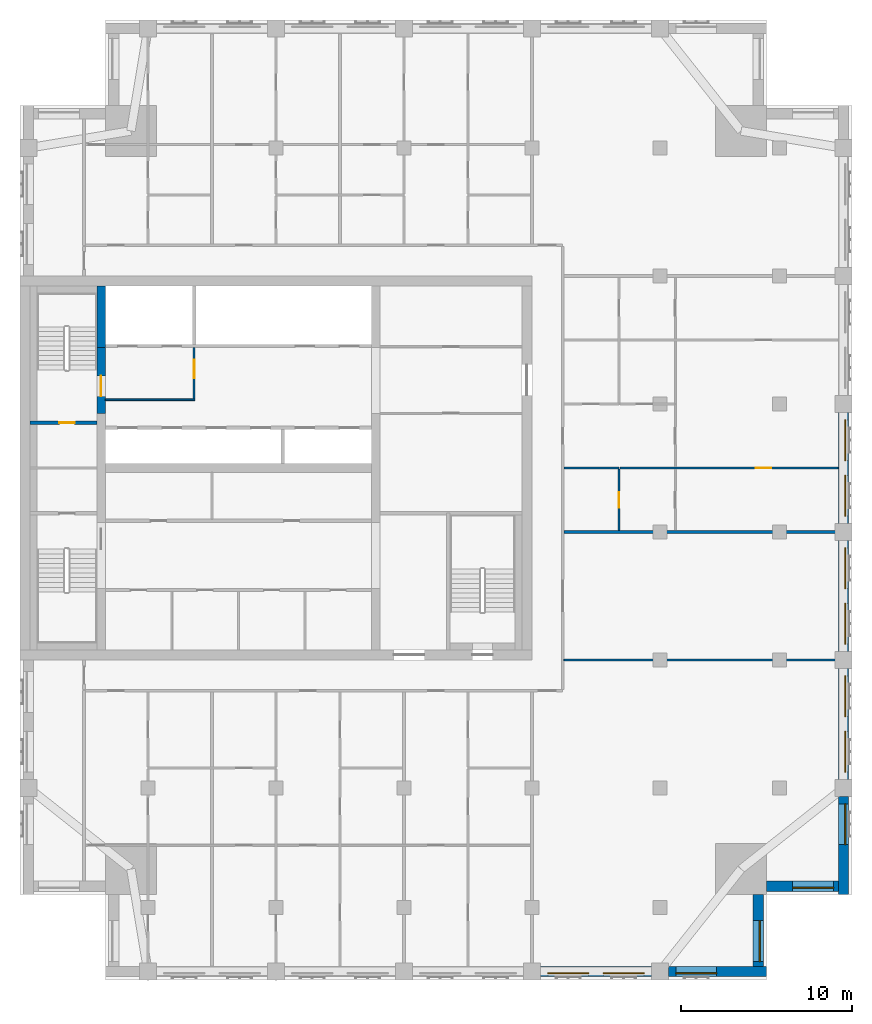
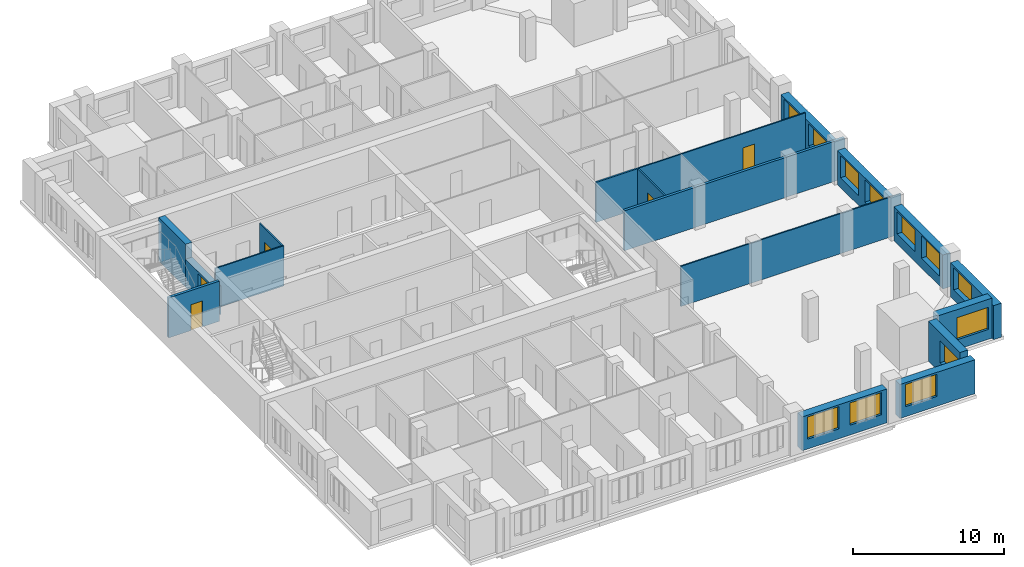
# One storey, part 5 of 11: 18 walls, 12 windows, 5 doors, 17 openings.
"""IFC4 building model written with IfcOpenShell, lengths in metres."""

from ifc_helpers import new_model, si_unit, direction, frame, frame_2d, origin, place, context, subcontext, project, spatial, rectangle, extrude, material, layer, layer_set, type_object, element, fill, save


model = new_model("IFC4")

# Units and contexts
model_context = context("Model", 3, precision=1e-05, world=origin(), true_north=direction((0.0, 1.0)))
body_context = subcontext(model_context, "Body", "Model", "MODEL_VIEW")
ifc_project = project(units=[si_unit("LENGTHUNIT", "METRE"), si_unit("AREAUNIT", "SQUARE_METRE"), si_unit("VOLUMEUNIT", "CUBIC_METRE"), si_unit("PLANEANGLEUNIT", "RADIAN"), si_unit("MASSUNIT", "GRAM", prefix="KILO")], contexts=[model_context])

# Site, building, storey
site_placement = place(None, origin())
site = spatial("IfcSite", under=ifc_project, at=site_placement, CompositionType="ELEMENT")
building_placement = place(site_placement, origin())
building = spatial("IfcBuilding", under=site, at=building_placement, Name="Tamorin Gate", CompositionType="ELEMENT")
storey_placement = place(building_placement, frame((0.0, 0.0, 230.199951171875)))
storey = spatial("IfcBuildingStorey", under=building, at=storey_placement, Name="L57", CompositionType="ELEMENT", Elevation=230.199951171875)

# Wall, openings, windows
ifc_material_1 = material(Name="Precast concrete C40/50", Category="concrete")
ifc_layer_1 = layer(ifc_material_1, 0.60009765625)
ifc_layer_set_1 = layer_set([ifc_layer_1], Name="Precast concrete C40/50")
wall_type_1 = type_object("IfcWallType", Name="Board-marked concrete facade panel 600", PredefinedType="SOLIDWALL", material=ifc_layer_set_1)
wall_1_placement = place(storey_placement, frame((60.5, 41.75, 0.0), z_axis=(0.0, 0.0, 1.0), x_axis=(1.0, 0.0, 0.0)))
wall_1 = element("IfcWall", 1, at=wall_1_placement, inside=storey, type_object=wall_type_1, Name="Facade panel", PredefinedType="SOLIDWALL", context=body_context, shape_type="SweptSolid", body=[
    extrude(rectangle(XDim=6.5, YDim=0.60009765625, at=frame_2d((3.25, 0.0))), origin(), (0.0, 0.0, 1.0), 2.75),
])
opening_1_placement = place(wall_1_placement, frame((0.425048828125, 0.0, 0.800048828125)))
opening_1 = element("IfcOpeningElement", 2, at=opening_1_placement, cuts=wall_1, Name="Opening WN1", PredefinedType="OPENING", context=body_context, shape_type="SweptSolid", body=[
    extrude(rectangle(XDim=2.39990234375, YDim=1.800048828125, at=frame_2d((1.199951171875, 0.89990234375))), frame((0.0, 0.31005859375, 0.0), z_axis=(0.0, -1.0, 0.0), x_axis=(1.0, 0.0, 0.0)), (0.0, 0.0, 1.0), 0.6201171875),
])
opening_2_placement = place(wall_1_placement, frame((3.675048828125, 0.0, 0.800048828125)))
opening_2 = element("IfcOpeningElement", 3, at=opening_2_placement, cuts=wall_1, Name="Opening WN1", PredefinedType="OPENING", context=body_context, shape_type="SweptSolid", body=[
    extrude(rectangle(XDim=2.39990234375, YDim=1.800048828125, at=frame_2d((1.199951171875, 0.89990234375))), frame((0.0, 0.31005859375, 0.0), z_axis=(0.0, -1.0, 0.0), x_axis=(1.0, 0.0, 0.0)), (0.0, 0.0, 1.0), 0.6201171875),
])
ifc_material_2 = material(Name="Clear glass in aluminium frame", Category="aluminium")
window_type = type_object("IfcWindowType", Name="Deep-set window 2400x1800", PartitioningType="SINGLE_PANEL", PredefinedType="WINDOW", material=ifc_material_2)
window_1_placement = place(opening_1_placement, origin())
window_1 = element("IfcWindow", 4, at=window_1_placement, inside=storey, type_object=window_type, Name="Deep-set window", OverallHeight=1.800048828125, OverallWidth=2.39990234375, PartitioningType="SINGLE_PANEL", PredefinedType="WINDOW", context=body_context, shape_type="SweptSolid", body=[
    extrude(rectangle(XDim=2.39990234375, YDim=1.800048828125, at=frame_2d((1.199951171875, 0.89990234375))), frame((0.0, -0.070068359375, 0.0), z_axis=(0.0, -1.0, 0.0), x_axis=(1.0, 0.0, 0.0)), (0.0, 0.0, 1.0), 0.06005859375),
])
fill(opening_1, window_1)
window_2_placement = place(opening_2_placement, origin())
window_2 = element("IfcWindow", 5, at=window_2_placement, inside=storey, type_object=window_type, Name="Deep-set window", OverallHeight=1.800048828125, OverallWidth=2.39990234375, PartitioningType="SINGLE_PANEL", PredefinedType="WINDOW", context=body_context, shape_type="SweptSolid", body=[
    extrude(rectangle(XDim=2.39990234375, YDim=1.800048828125, at=frame_2d((1.199951171875, 0.89990234375))), frame((0.0, -0.070068359375, 0.0), z_axis=(0.0, -1.0, 0.0), x_axis=(1.0, 0.0, 0.0)), (0.0, 0.0, 1.0), 0.06005859375),
])
fill(opening_2, window_2)

# Wall, opening, window
wall_2_placement = place(storey_placement, frame((68.0, 41.75, 0.0), z_axis=(0.0, 0.0, 1.0), x_axis=(1.0, 0.0, 0.0)))
wall_2 = element("IfcWall", 6, at=wall_2_placement, inside=storey, type_object=wall_type_1, Name="Facade panel", PredefinedType="SOLIDWALL", context=body_context, shape_type="SweptSolid", body=[
    extrude(rectangle(XDim=5.75, YDim=0.60009765625, at=frame_2d((2.875, 0.0))), origin(), (0.0, 0.0, 1.0), 2.75),
])
opening_3_placement = place(wall_2_placement, frame((0.425048828125, 0.0, 0.800048828125)))
opening_3 = element("IfcOpeningElement", 7, at=opening_3_placement, cuts=wall_2, Name="Opening WN1", PredefinedType="OPENING", context=body_context, shape_type="SweptSolid", body=[
    extrude(rectangle(XDim=2.39990234375, YDim=1.800048828125, at=frame_2d((1.199951171875, 0.89990234375))), frame((0.0, 0.31005859375, 0.0), z_axis=(0.0, -1.0, 0.0), x_axis=(1.0, 0.0, 0.0)), (0.0, 0.0, 1.0), 0.6201171875),
])
window_3_placement = place(opening_3_placement, origin())
window_3 = element("IfcWindow", 8, at=window_3_placement, inside=storey, type_object=window_type, Name="Deep-set window", OverallHeight=1.800048828125, OverallWidth=2.39990234375, PartitioningType="SINGLE_PANEL", PredefinedType="WINDOW", context=body_context, shape_type="SweptSolid", body=[
    extrude(rectangle(XDim=2.39990234375, YDim=1.800048828125, at=frame_2d((1.199951171875, 0.89990234375))), frame((0.0, -0.070068359375, 0.0), z_axis=(0.0, -1.0, 0.0), x_axis=(1.0, 0.0, 0.0)), (0.0, 0.0, 1.0), 0.06005859375),
])
fill(opening_3, window_3)

wall_3_placement = place(storey_placement, frame((73.25, 42.050048828125, 0.0), z_axis=(0.0, 0.0, 1.0), x_axis=(0.0, 1.0, 0.0)))
wall_3 = element("IfcWall", 9, at=wall_3_placement, inside=storey, type_object=wall_type_1, Name="Facade panel", PredefinedType="SOLIDWALL", context=body_context, shape_type="SweptSolid", body=[
    extrude(rectangle(XDim=4.199951171875, YDim=0.60009765625, at=frame_2d((2.10009765625, 0.0))), origin(), (0.0, 0.0, 1.0), 3.25),
])
opening_4_placement = place(wall_3_placement, frame((0.27490234375, 0.0, 0.800048828125)))
opening_4 = element("IfcOpeningElement", 10, at=opening_4_placement, cuts=wall_3, Name="Opening WN1", PredefinedType="OPENING", context=body_context, shape_type="SweptSolid", body=[
    extrude(rectangle(XDim=2.39990234375, YDim=1.800048828125, at=frame_2d((1.199951171875, 0.89990234375))), frame((0.0, 0.31005859375, 0.0), z_axis=(0.0, -1.0, 0.0), x_axis=(1.0, 0.0, 0.0)), (0.0, 0.0, 1.0), 0.6201171875),
])
window_4_placement = place(opening_4_placement, origin())
window_4 = element("IfcWindow", 11, at=window_4_placement, inside=storey, type_object=window_type, Name="Deep-set window", OverallHeight=1.800048828125, OverallWidth=2.39990234375, PartitioningType="SINGLE_PANEL", PredefinedType="WINDOW", context=body_context, shape_type="SweptSolid", body=[
    extrude(rectangle(XDim=2.39990234375, YDim=1.800048828125, at=frame_2d((1.199951171875, 0.89990234375))), frame((0.0, -0.070068359375, 0.0), z_axis=(0.0, -1.0, 0.0), x_axis=(1.0, 0.0, 0.0)), (0.0, 0.0, 1.0), 0.06005859375),
])
fill(opening_4, window_4)

wall_4_placement = place(storey_placement, frame((73.75, 46.75, 0.0), z_axis=(0.0, 0.0, 1.0), x_axis=(1.0, 0.0, 0.0)))
wall_4 = element("IfcWall", 12, at=wall_4_placement, inside=storey, type_object=wall_type_1, Name="Facade panel", PredefinedType="SOLIDWALL", context=body_context, shape_type="SweptSolid", body=[
    extrude(rectangle(XDim=4.199951171875, YDim=0.60009765625, at=frame_2d((2.10009765625, 0.0))), origin(), (0.0, 0.0, 1.0), 3.25),
])
opening_5_placement = place(wall_4_placement, frame((1.52490234375, 0.0, 0.800048828125)))
opening_5 = element("IfcOpeningElement", 13, at=opening_5_placement, cuts=wall_4, Name="Opening WN1", PredefinedType="OPENING", context=body_context, shape_type="SweptSolid", body=[
    extrude(rectangle(XDim=2.39990234375, YDim=1.800048828125, at=frame_2d((1.199951171875, 0.89990234375))), frame((0.0, 0.31005859375, 0.0), z_axis=(0.0, -1.0, 0.0), x_axis=(1.0, 0.0, 0.0)), (0.0, 0.0, 1.0), 0.6201171875),
])
window_5_placement = place(opening_5_placement, origin())
window_5 = element("IfcWindow", 14, at=window_5_placement, inside=storey, type_object=window_type, Name="Deep-set window", OverallHeight=1.800048828125, OverallWidth=2.39990234375, PartitioningType="SINGLE_PANEL", PredefinedType="WINDOW", context=body_context, shape_type="SweptSolid", body=[
    extrude(rectangle(XDim=2.39990234375, YDim=1.800048828125, at=frame_2d((1.199951171875, 0.89990234375))), frame((0.0, -0.070068359375, 0.0), z_axis=(0.0, -1.0, 0.0), x_axis=(1.0, 0.0, 0.0)), (0.0, 0.0, 1.0), 0.06005859375),
])
fill(opening_5, window_5)

wall_5_placement = place(storey_placement, frame((78.25, 46.25, 0.0), z_axis=(0.0, 0.0, 1.0), x_axis=(0.0, 1.0, 0.0)))
wall_5 = element("IfcWall", 15, at=wall_5_placement, inside=storey, type_object=wall_type_1, Name="Facade panel", PredefinedType="SOLIDWALL", context=body_context, shape_type="SweptSolid", body=[
    extrude(rectangle(XDim=5.75, YDim=0.60009765625, at=frame_2d((2.875, 0.0))), origin(), (0.0, 0.0, 1.0), 2.75),
])
opening_6_placement = place(wall_5_placement, frame((2.925048828125, 0.0, 0.800048828125)))
opening_6 = element("IfcOpeningElement", 16, at=opening_6_placement, cuts=wall_5, Name="Opening WN1", PredefinedType="OPENING", context=body_context, shape_type="SweptSolid", body=[
    extrude(rectangle(XDim=2.39990234375, YDim=1.800048828125, at=frame_2d((1.199951171875, 0.89990234375))), frame((0.0, 0.31005859375, 0.0), z_axis=(0.0, -1.0, 0.0), x_axis=(1.0, 0.0, 0.0)), (0.0, 0.0, 1.0), 0.6201171875),
])
window_6_placement = place(opening_6_placement, origin())
window_6 = element("IfcWindow", 17, at=window_6_placement, inside=storey, type_object=window_type, Name="Deep-set window", OverallHeight=1.800048828125, OverallWidth=2.39990234375, PartitioningType="SINGLE_PANEL", PredefinedType="WINDOW", context=body_context, shape_type="SweptSolid", body=[
    extrude(rectangle(XDim=2.39990234375, YDim=1.800048828125, at=frame_2d((1.199951171875, 0.89990234375))), frame((0.0, -0.070068359375, 0.0), z_axis=(0.0, -1.0, 0.0), x_axis=(1.0, 0.0, 0.0)), (0.0, 0.0, 1.0), 0.06005859375),
])
fill(opening_6, window_6)

# Wall, openings, windows
wall_6_placement = place(storey_placement, frame((78.25, 53.0, 0.0), z_axis=(0.0, 0.0, 1.0), x_axis=(0.0, 1.0, 0.0)))
wall_6 = element("IfcWall", 18, at=wall_6_placement, inside=storey, type_object=wall_type_1, Name="Facade panel", PredefinedType="SOLIDWALL", context=body_context, shape_type="SweptSolid", body=[
    extrude(rectangle(XDim=6.5, YDim=0.60009765625, at=frame_2d((3.25, 0.0))), origin(), (0.0, 0.0, 1.0), 2.75),
])
opening_7_placement = place(wall_6_placement, frame((0.425048828125, 0.0, 0.800048828125)))
opening_7 = element("IfcOpeningElement", 19, at=opening_7_placement, cuts=wall_6, Name="Opening WN1", PredefinedType="OPENING", context=body_context, shape_type="SweptSolid", body=[
    extrude(rectangle(XDim=2.39990234375, YDim=1.800048828125, at=frame_2d((1.199951171875, 0.89990234375))), frame((0.0, 0.31005859375, 0.0), z_axis=(0.0, -1.0, 0.0), x_axis=(1.0, 0.0, 0.0)), (0.0, 0.0, 1.0), 0.6201171875),
])
opening_8_placement = place(wall_6_placement, frame((3.675048828125, 0.0, 0.800048828125)))
opening_8 = element("IfcOpeningElement", 20, at=opening_8_placement, cuts=wall_6, Name="Opening WN1", PredefinedType="OPENING", context=body_context, shape_type="SweptSolid", body=[
    extrude(rectangle(XDim=2.39990234375, YDim=1.800048828125, at=frame_2d((1.199951171875, 0.89990234375))), frame((0.0, 0.31005859375, 0.0), z_axis=(0.0, -1.0, 0.0), x_axis=(1.0, 0.0, 0.0)), (0.0, 0.0, 1.0), 0.6201171875),
])
window_7_placement = place(opening_7_placement, origin())
window_7 = element("IfcWindow", 21, at=window_7_placement, inside=storey, type_object=window_type, Name="Deep-set window", OverallHeight=1.800048828125, OverallWidth=2.39990234375, PartitioningType="SINGLE_PANEL", PredefinedType="WINDOW", context=body_context, shape_type="SweptSolid", body=[
    extrude(rectangle(XDim=2.39990234375, YDim=1.800048828125, at=frame_2d((1.199951171875, 0.89990234375))), frame((0.0, -0.070068359375, 0.0), z_axis=(0.0, -1.0, 0.0), x_axis=(1.0, 0.0, 0.0)), (0.0, 0.0, 1.0), 0.06005859375),
])
fill(opening_7, window_7)
window_8_placement = place(opening_8_placement, origin())
window_8 = element("IfcWindow", 22, at=window_8_placement, inside=storey, type_object=window_type, Name="Deep-set window", OverallHeight=1.800048828125, OverallWidth=2.39990234375, PartitioningType="SINGLE_PANEL", PredefinedType="WINDOW", context=body_context, shape_type="SweptSolid", body=[
    extrude(rectangle(XDim=2.39990234375, YDim=1.800048828125, at=frame_2d((1.199951171875, 0.89990234375))), frame((0.0, -0.070068359375, 0.0), z_axis=(0.0, -1.0, 0.0), x_axis=(1.0, 0.0, 0.0)), (0.0, 0.0, 1.0), 0.06005859375),
])
fill(opening_8, window_8)

wall_7_placement = place(storey_placement, frame((78.25, 60.5, 0.0), z_axis=(0.0, 0.0, 1.0), x_axis=(0.0, 1.0, 0.0)))
wall_7 = element("IfcWall", 23, at=wall_7_placement, inside=storey, type_object=wall_type_1, Name="Facade panel", PredefinedType="SOLIDWALL", context=body_context, shape_type="SweptSolid", body=[
    extrude(rectangle(XDim=6.5, YDim=0.60009765625, at=frame_2d((3.25, 0.0))), origin(), (0.0, 0.0, 1.0), 2.75),
])
opening_9_placement = place(wall_7_placement, frame((0.425048828125, 0.0, 0.800048828125)))
opening_9 = element("IfcOpeningElement", 24, at=opening_9_placement, cuts=wall_7, Name="Opening WN1", PredefinedType="OPENING", context=body_context, shape_type="SweptSolid", body=[
    extrude(rectangle(XDim=2.39990234375, YDim=1.800048828125, at=frame_2d((1.199951171875, 0.89990234375))), frame((0.0, 0.31005859375, 0.0), z_axis=(0.0, -1.0, 0.0), x_axis=(1.0, 0.0, 0.0)), (0.0, 0.0, 1.0), 0.6201171875),
])
opening_10_placement = place(wall_7_placement, frame((3.675048828125, 0.0, 0.800048828125)))
opening_10 = element("IfcOpeningElement", 25, at=opening_10_placement, cuts=wall_7, Name="Opening WN1", PredefinedType="OPENING", context=body_context, shape_type="SweptSolid", body=[
    extrude(rectangle(XDim=2.39990234375, YDim=1.800048828125, at=frame_2d((1.199951171875, 0.89990234375))), frame((0.0, 0.31005859375, 0.0), z_axis=(0.0, -1.0, 0.0), x_axis=(1.0, 0.0, 0.0)), (0.0, 0.0, 1.0), 0.6201171875),
])
window_9_placement = place(opening_9_placement, origin())
window_9 = element("IfcWindow", 26, at=window_9_placement, inside=storey, type_object=window_type, Name="Deep-set window", OverallHeight=1.800048828125, OverallWidth=2.39990234375, PartitioningType="SINGLE_PANEL", PredefinedType="WINDOW", context=body_context, shape_type="SweptSolid", body=[
    extrude(rectangle(XDim=2.39990234375, YDim=1.800048828125, at=frame_2d((1.199951171875, 0.89990234375))), frame((0.0, -0.070068359375, 0.0), z_axis=(0.0, -1.0, 0.0), x_axis=(1.0, 0.0, 0.0)), (0.0, 0.0, 1.0), 0.06005859375),
])
fill(opening_9, window_9)
window_10_placement = place(opening_10_placement, origin())
window_10 = element("IfcWindow", 27, at=window_10_placement, inside=storey, type_object=window_type, Name="Deep-set window", OverallHeight=1.800048828125, OverallWidth=2.39990234375, PartitioningType="SINGLE_PANEL", PredefinedType="WINDOW", context=body_context, shape_type="SweptSolid", body=[
    extrude(rectangle(XDim=2.39990234375, YDim=1.800048828125, at=frame_2d((1.199951171875, 0.89990234375))), frame((0.0, -0.070068359375, 0.0), z_axis=(0.0, -1.0, 0.0), x_axis=(1.0, 0.0, 0.0)), (0.0, 0.0, 1.0), 0.06005859375),
])
fill(opening_10, window_10)

wall_8_placement = place(storey_placement, frame((78.25, 68.0, 0.0), z_axis=(0.0, 0.0, 1.0), x_axis=(0.0, 1.0, 0.0)))
wall_8 = element("IfcWall", 28, at=wall_8_placement, inside=storey, type_object=wall_type_1, Name="Facade panel", PredefinedType="SOLIDWALL", context=body_context, shape_type="SweptSolid", body=[
    extrude(rectangle(XDim=6.5, YDim=0.60009765625, at=frame_2d((3.25, 0.0))), origin(), (0.0, 0.0, 1.0), 2.75),
])
opening_11_placement = place(wall_8_placement, frame((0.425048828125, 0.0, 0.800048828125)))
opening_11 = element("IfcOpeningElement", 29, at=opening_11_placement, cuts=wall_8, Name="Opening WN1", PredefinedType="OPENING", context=body_context, shape_type="SweptSolid", body=[
    extrude(rectangle(XDim=2.39990234375, YDim=1.800048828125, at=frame_2d((1.199951171875, 0.89990234375))), frame((0.0, 0.31005859375, 0.0), z_axis=(0.0, -1.0, 0.0), x_axis=(1.0, 0.0, 0.0)), (0.0, 0.0, 1.0), 0.6201171875),
])
opening_12_placement = place(wall_8_placement, frame((3.675048828125, 0.0, 0.800048828125)))
opening_12 = element("IfcOpeningElement", 30, at=opening_12_placement, cuts=wall_8, Name="Opening WN1", PredefinedType="OPENING", context=body_context, shape_type="SweptSolid", body=[
    extrude(rectangle(XDim=2.39990234375, YDim=1.800048828125, at=frame_2d((1.199951171875, 0.89990234375))), frame((0.0, 0.31005859375, 0.0), z_axis=(0.0, -1.0, 0.0), x_axis=(1.0, 0.0, 0.0)), (0.0, 0.0, 1.0), 0.6201171875),
])
window_11_placement = place(opening_11_placement, origin())
window_11 = element("IfcWindow", 31, at=window_11_placement, inside=storey, type_object=window_type, Name="Deep-set window", OverallHeight=1.800048828125, OverallWidth=2.39990234375, PartitioningType="SINGLE_PANEL", PredefinedType="WINDOW", context=body_context, shape_type="SweptSolid", body=[
    extrude(rectangle(XDim=2.39990234375, YDim=1.800048828125, at=frame_2d((1.199951171875, 0.89990234375))), frame((0.0, -0.070068359375, 0.0), z_axis=(0.0, -1.0, 0.0), x_axis=(1.0, 0.0, 0.0)), (0.0, 0.0, 1.0), 0.06005859375),
])
fill(opening_11, window_11)
window_12_placement = place(opening_12_placement, origin())
window_12 = element("IfcWindow", 32, at=window_12_placement, inside=storey, type_object=window_type, Name="Deep-set window", OverallHeight=1.800048828125, OverallWidth=2.39990234375, PartitioningType="SINGLE_PANEL", PredefinedType="WINDOW", context=body_context, shape_type="SweptSolid", body=[
    extrude(rectangle(XDim=2.39990234375, YDim=1.800048828125, at=frame_2d((1.199951171875, 0.89990234375))), frame((0.0, -0.070068359375, 0.0), z_axis=(0.0, -1.0, 0.0), x_axis=(1.0, 0.0, 0.0)), (0.0, 0.0, 1.0), 0.06005859375),
])
fill(opening_12, window_12)

# Walls
ifc_material_3 = material(Name="Gypsum board partition")
ifc_layer_2 = layer(ifc_material_3, 0.199951171875)
ifc_layer_set_2 = layer_set([ifc_layer_2], Name="Demising wall 200")
wall_type_2 = type_object("IfcWallType", Name="Demising wall 200", PredefinedType="PARTITIONING", material=ifc_layer_set_2)
wall_9_placement = place(storey_placement, frame((61.875, 67.5, 0.0), z_axis=(0.0, 0.0, 1.0), x_axis=(1.0, 0.0, 0.0)))
element("IfcWall", 33, at=wall_9_placement, inside=storey, type_object=wall_type_2, Name="Demising wall 200", PredefinedType="PARTITIONING", context=body_context, shape_type="SweptSolid", body=[
    extrude(rectangle(XDim=16.875, YDim=0.199951171875, at=frame_2d((8.4375, 0.0))), origin(), (0.0, 0.0, 1.0), 3.25),
])
ifc_material_4 = material(Name="Fire-rated gypsum board partition")
ifc_layer_3 = layer(ifc_material_4, 0.10009765625)
ifc_layer_set_3 = layer_set([ifc_layer_3], Name="Lobby wall 100 EI 60")
wall_type_3 = type_object("IfcWallType", Name="Lobby wall 100 EI 60", PredefinedType="PARTITIONING", material=ifc_layer_set_3)
wall_10_placement = place(storey_placement, frame((35.0, 75.25, 0.0), z_axis=(0.0, 0.0, 1.0), x_axis=(1.0, 0.0, 0.0)))
element("IfcWall", 34, at=wall_10_placement, inside=storey, type_object=wall_type_3, Name="Firefighting lobby wall", PredefinedType="PARTITIONING", context=body_context, shape_type="SweptSolid", body=[
    extrude(rectangle(XDim=5.25, YDim=0.10009765625, at=frame_2d((2.625, 0.0))), origin(), (0.0, 0.0, 1.0), 3.25),
])

# Wall, opening, door
wall_11_placement = place(storey_placement, frame((40.199951171875, 75.300048828125, 0.0), z_axis=(0.0, 0.0, 1.0), x_axis=(0.0, 1.0, 0.0)))
wall_11 = element("IfcWall", 35, at=wall_11_placement, inside=storey, type_object=wall_type_3, Name="Firefighting lobby wall", PredefinedType="PARTITIONING", context=body_context, shape_type="SweptSolid", body=[
    extrude(rectangle(XDim=3.0, YDim=0.10009765625, at=frame_2d((1.5, 0.0))), origin(), (0.0, 0.0, 1.0), 3.25),
])
opening_13_placement = place(wall_11_placement, frame((1.199951171875, 0.0, 0.0)))
opening_13 = element("IfcOpeningElement", 36, at=opening_13_placement, cuts=wall_11, Name="Opening DF1", PredefinedType="OPENING", context=body_context, shape_type="SweptSolid", body=[
    extrude(rectangle(XDim=1.10009765625, YDim=2.10009765625, at=frame_2d((0.550048828125, 1.050048828125))), frame((0.0, 0.06005859375, 0.0), z_axis=(0.0, -1.0, 0.0), x_axis=(1.0, 0.0, 0.0)), (0.0, 0.0, 1.0), 0.1201171875),
])
ifc_material_5 = material(Name="Steel fire door", Category="steel")
door_type_1 = type_object("IfcDoorType", Name="Firefighting lobby door 1100 x 2100 EI 90", OperationType="SINGLE_SWING_LEFT", PredefinedType="DOOR", material=ifc_material_5)
door_1_placement = place(opening_13_placement, origin())
door_1 = element("IfcDoor", 37, at=door_1_placement, inside=storey, type_object=door_type_1, Name="Firefighting lobby door", OperationType="SINGLE_SWING_LEFT", OverallHeight=2.10009765625, OverallWidth=1.10009765625, PredefinedType="DOOR", context=body_context, shape_type="SweptSolid", body=[
    extrude(rectangle(XDim=1.10009765625, YDim=2.10009765625, at=frame_2d((0.550048828125, 1.050048828125))), frame((0.0, 0.02490234375, 0.0), z_axis=(0.0, -1.0, 0.0), x_axis=(1.0, 0.0, 0.0)), (0.0, 0.0, 1.0), 0.050048828125),
])
fill(opening_13, door_1)

# Walls
ifc_material_6 = material(Name="Concrete C50/60", Category="concrete")
ifc_layer_4 = layer(ifc_material_6, 0.5)
ifc_layer_set_4 = layer_set([ifc_layer_4], Name="RC core internal wall 500 C50/60")
wall_type_4 = type_object("IfcWallType", Name="RC core internal wall 500 C50/60", PredefinedType="SHEAR", material=ifc_layer_set_4)
wall_12_placement = place(storey_placement, frame((34.75, 78.300048828125, 0.0), z_axis=(0.0, 0.0, 1.0), x_axis=(0.0, 1.0, 0.0)))
element("IfcWall", 38, at=wall_12_placement, inside=storey, type_object=wall_type_4, Name="Core cross wall L57", PredefinedType="SHEAR", context=body_context, shape_type="SweptSolid", body=[
    extrude(rectangle(XDim=3.599853515625, YDim=0.5, at=frame_2d((1.7998046875, 0.0))), origin(), (0.0, 0.0, 1.0), 3.5),
])
ifc_layer_5 = layer(ifc_material_3, 0.10009765625)
ifc_layer_set_5 = layer_set([ifc_layer_5], Name="Room partition 100")
wall_type_5 = type_object("IfcWallType", Name="Room partition 100", PredefinedType="PARTITIONING", material=ifc_layer_set_5)
wall_13_placement = place(storey_placement, frame((61.875, 60.0, 0.0), z_axis=(0.0, 0.0, 1.0), x_axis=(1.0, 0.0, 0.0)))
element("IfcWall", 39, at=wall_13_placement, inside=storey, type_object=wall_type_5, Name="Room partition 100", PredefinedType="PARTITIONING", context=body_context, shape_type="SweptSolid", body=[
    extrude(rectangle(XDim=16.875, YDim=0.10009765625, at=frame_2d((8.4375, 0.0))), origin(), (0.0, 0.0, 1.0), 3.25),
])

# Wall, opening, door
wall_14_placement = place(storey_placement, frame((65.16259765625, 71.25, 0.0), z_axis=(0.0, 0.0, 1.0), x_axis=(1.0, 0.0, 0.0)))
wall_14 = element("IfcWall", 40, at=wall_14_placement, inside=storey, type_object=wall_type_5, Name="Room partition 100", PredefinedType="PARTITIONING", context=body_context, shape_type="SweptSolid", body=[
    extrude(rectangle(XDim=12.77734375, YDim=0.10009765625, at=frame_2d((6.388671875, 0.0))), origin(), (0.0, 0.0, 1.0), 3.25),
])
opening_14_placement = place(wall_14_placement, frame((7.96240234375, 0.0, 0.0)))
opening_14 = element("IfcOpeningElement", 41, at=opening_14_placement, cuts=wall_14, Name="Opening DR7050", PredefinedType="OPENING", context=body_context, shape_type="SweptSolid", body=[
    extrude(rectangle(XDim=0.89990234375, YDim=2.10009765625, at=frame_2d((0.449951171875, 1.050048828125))), frame((0.0, 0.06005859375, 0.0), z_axis=(0.0, -1.0, 0.0), x_axis=(1.0, 0.0, 0.0)), (0.0, 0.0, 1.0), 0.1201171875),
])
ifc_material_7 = material(Name="Timber door leaf", Category="wood")
door_type_2 = type_object("IfcDoorType", Name="Door 900 x 2100", OperationType="NOTDEFINED", PredefinedType="DOOR", material=ifc_material_7)
door_2_placement = place(opening_14_placement, origin())
door_2 = element("IfcDoor", 42, at=door_2_placement, inside=storey, type_object=door_type_2, Name="Door DR7050", OperationType="SINGLE_SWING_LEFT", OverallHeight=2.10009765625, OverallWidth=0.89990234375, PredefinedType="DOOR", context=body_context, shape_type="SweptSolid", body=[
    extrude(rectangle(XDim=0.89990234375, YDim=2.10009765625, at=frame_2d((0.449951171875, 1.050048828125))), frame((0.0, 0.02490234375, 0.0), z_axis=(0.0, -1.0, 0.0), x_axis=(1.0, 0.0, 0.0)), (0.0, 0.0, 1.0), 0.050048828125),
])
fill(opening_14, door_2)

ifc_material_8 = material(Name="Concrete C40/50", Category="concrete")
ifc_layer_6 = layer(ifc_material_8, 0.199951171875)
ifc_layer_set_6 = layer_set([ifc_layer_6], Name="Stair enclosure wall 200 EI 120 C40/50")
wall_type_6 = type_object("IfcWallType", Name="Stair enclosure wall 200 EI 120 C40/50", PredefinedType="SOLIDWALL", material=ifc_layer_set_6)
wall_15_placement = place(storey_placement, frame((30.60009765625, 73.89990234375, 0.0), z_axis=(0.0, 0.0, 1.0), x_axis=(1.0, 0.0, 0.0)))
wall_15 = element("IfcWall", 43, at=wall_15_placement, inside=storey, type_object=wall_type_6, Name="Stair enclosure wall", PredefinedType="SOLIDWALL", context=body_context, shape_type="SweptSolid", body=[
    extrude(rectangle(XDim=3.89990234375, YDim=0.199951171875, at=frame_2d((1.949951171875, 0.0))), origin(), (0.0, 0.0, 1.0), 3.25),
])
opening_15_placement = place(wall_15_placement, frame((1.699951171875, 0.0, 0.0)))
opening_15 = element("IfcOpeningElement", 44, at=opening_15_placement, cuts=wall_15, Name="Opening DR1", PredefinedType="OPENING", context=body_context, shape_type="SweptSolid", body=[
    extrude(rectangle(XDim=0.89990234375, YDim=2.10009765625, at=frame_2d((0.449951171875, 1.050048828125))), frame((0.0, 0.10986328125, 0.0), z_axis=(0.0, -1.0, 0.0), x_axis=(1.0, 0.0, 0.0)), (0.0, 0.0, 1.0), 0.219970703125),
])
door_type_3 = type_object("IfcDoorType", Name="Riser access door 900 x 2100 EI 120", OperationType="SINGLE_SWING_LEFT", PredefinedType="DOOR", material=ifc_material_5)
door_3_placement = place(opening_15_placement, origin())
door_3 = element("IfcDoor", 45, at=door_3_placement, inside=storey, type_object=door_type_3, Name="Communications riser door", OperationType="SINGLE_SWING_RIGHT", OverallHeight=2.10009765625, OverallWidth=0.89990234375, PredefinedType="DOOR", context=body_context, shape_type="SweptSolid", body=[
    extrude(rectangle(XDim=0.89990234375, YDim=2.10009765625, at=frame_2d((0.449951171875, 1.050048828125))), frame((0.0, 0.02490234375, 0.0), z_axis=(0.0, -1.0, 0.0), x_axis=(1.0, 0.0, 0.0)), (0.0, 0.0, 1.0), 0.050048828125),
])
fill(opening_15, door_3)

ifc_material_9 = material(Name="Concrete C32/40", Category="concrete")
ifc_layer_7 = layer(ifc_material_9, 0.5)
ifc_layer_set_7 = layer_set([ifc_layer_7], Name="Stair lobby infill wall 500 EI 120")
wall_type_7 = type_object("IfcWallType", Name="Stair lobby infill wall 500 EI 120", PredefinedType="SOLIDWALL", material=ifc_layer_set_7)
wall_16_placement = place(storey_placement, frame((34.75, 74.449951171875, 0.0), z_axis=(0.0, 0.0, 1.0), x_axis=(0.0, 1.0, 0.0)))
wall_16 = element("IfcWall", 46, at=wall_16_placement, inside=storey, type_object=wall_type_7, Name="Stair lobby infill wall", PredefinedType="SOLIDWALL", context=body_context, shape_type="SweptSolid", body=[
    extrude(rectangle(XDim=3.85009765625, YDim=0.5, at=frame_2d((1.925048828125, 0.0))), origin(), (0.0, 0.0, 1.0), 2.300048828125),
])
opening_16_placement = place(wall_16_placement, frame((1.0, 0.0, 0.0)))
opening_16 = element("IfcOpeningElement", 47, at=opening_16_placement, cuts=wall_16, Name="Opening DS1", PredefinedType="OPENING", context=body_context, shape_type="SweptSolid", body=[
    extrude(rectangle(XDim=1.199951171875, YDim=2.10009765625, at=frame_2d((0.60009765625, 1.050048828125))), frame((0.0, 0.260009765625, 0.0), z_axis=(0.0, -1.0, 0.0), x_axis=(1.0, 0.0, 0.0)), (0.0, 0.0, 1.0), 0.52001953125),
])
door_type_4 = type_object("IfcDoorType", Name="Stair door 1200 x 2100 EI 90", OperationType="SINGLE_SWING_LEFT", PredefinedType="DOOR", material=ifc_material_5)
door_4_placement = place(opening_16_placement, origin())
door_4 = element("IfcDoor", 48, at=door_4_placement, inside=storey, type_object=door_type_4, Name="ST2 door", OperationType="SINGLE_SWING_RIGHT", OverallHeight=2.10009765625, OverallWidth=1.199951171875, PredefinedType="DOOR", context=body_context, shape_type="SweptSolid", body=[
    extrude(rectangle(XDim=1.199951171875, YDim=2.10009765625, at=frame_2d((0.60009765625, 1.050048828125))), frame((0.0, 0.02490234375, 0.0), z_axis=(0.0, -1.0, 0.0), x_axis=(1.0, 0.0, 0.0)), (0.0, 0.0, 1.0), 0.050048828125),
])
fill(opening_16, door_4)

# Wall
ifc_layer_8 = layer(ifc_material_3, 0.125)
ifc_layer_set_8 = layer_set([ifc_layer_8], Name="Wet wall 125")
wall_type_8 = type_object("IfcWallType", Name="Wet wall 125", PredefinedType="PARTITIONING", material=ifc_layer_set_8)
wall_17_placement = place(storey_placement, frame((61.875, 71.25, 0.0), z_axis=(0.0, 0.0, 1.0), x_axis=(1.0, 0.0, 0.0)))
element("IfcWall", 49, at=wall_17_placement, inside=storey, type_object=wall_type_8, Name="Wet wall 125", PredefinedType="PARTITIONING", context=body_context, shape_type="SweptSolid", body=[
    extrude(rectangle(XDim=3.22509765625, YDim=0.125, at=frame_2d((1.612548828125, 0.0))), origin(), (0.0, 0.0, 1.0), 3.25),
])

# Wall, opening, door
wall_18_placement = place(storey_placement, frame((65.10009765625, 67.60009765625, 0.0), z_axis=(0.0, 0.0, 1.0), x_axis=(0.0, 1.0, 0.0)))
wall_18 = element("IfcWall", 50, at=wall_18_placement, inside=storey, type_object=wall_type_8, Name="Wet wall 125", PredefinedType="PARTITIONING", context=body_context, shape_type="SweptSolid", body=[
    extrude(rectangle(XDim=3.58740234375, YDim=0.125, at=frame_2d((1.793701171875, 0.0))), origin(), (0.0, 0.0, 1.0), 3.25),
])
opening_17_placement = place(wall_18_placement, frame((1.324951171875, 0.0, 0.0)))
opening_17 = element("IfcOpeningElement", 51, at=opening_17_placement, cuts=wall_18, Name="Opening DR7043", PredefinedType="OPENING", context=body_context, shape_type="SweptSolid", body=[
    extrude(rectangle(XDim=0.89990234375, YDim=2.10009765625, at=frame_2d((0.449951171875, 1.050048828125))), frame((0.0, 0.072509765625, 0.0), z_axis=(0.0, -1.0, 0.0), x_axis=(1.0, 0.0, 0.0)), (0.0, 0.0, 1.0), 0.14501953125),
])
door_5_placement = place(opening_17_placement, origin())
door_5 = element("IfcDoor", 52, at=door_5_placement, inside=storey, type_object=door_type_2, Name="Door DR7043", OperationType="SINGLE_SWING_LEFT", OverallHeight=2.10009765625, OverallWidth=0.89990234375, PredefinedType="DOOR", context=body_context, shape_type="SweptSolid", body=[
    extrude(rectangle(XDim=0.89990234375, YDim=2.10009765625, at=frame_2d((0.449951171875, 1.050048828125))), frame((0.0, 0.02490234375, 0.0), z_axis=(0.0, -1.0, 0.0), x_axis=(1.0, 0.0, 0.0)), (0.0, 0.0, 1.0), 0.050048828125),
])
fill(opening_17, door_5)

save(model, "model.ifc")
